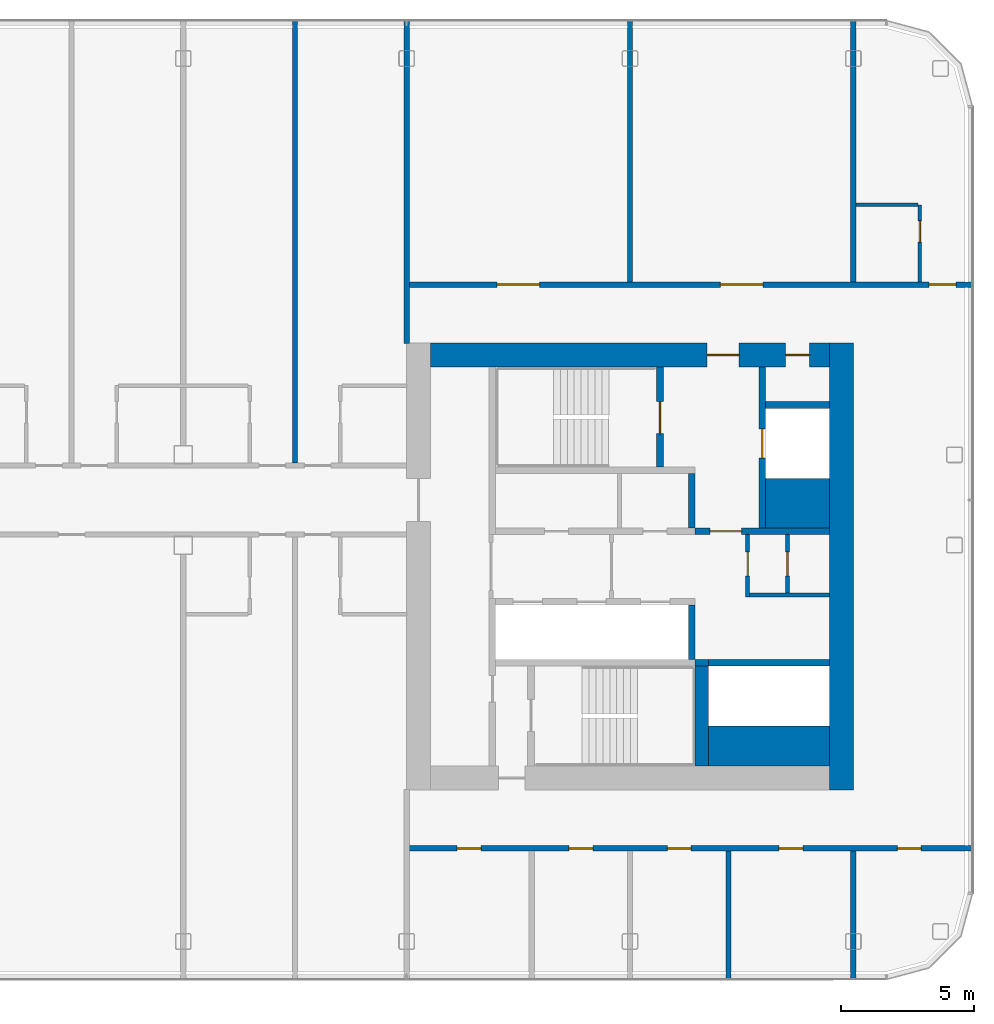
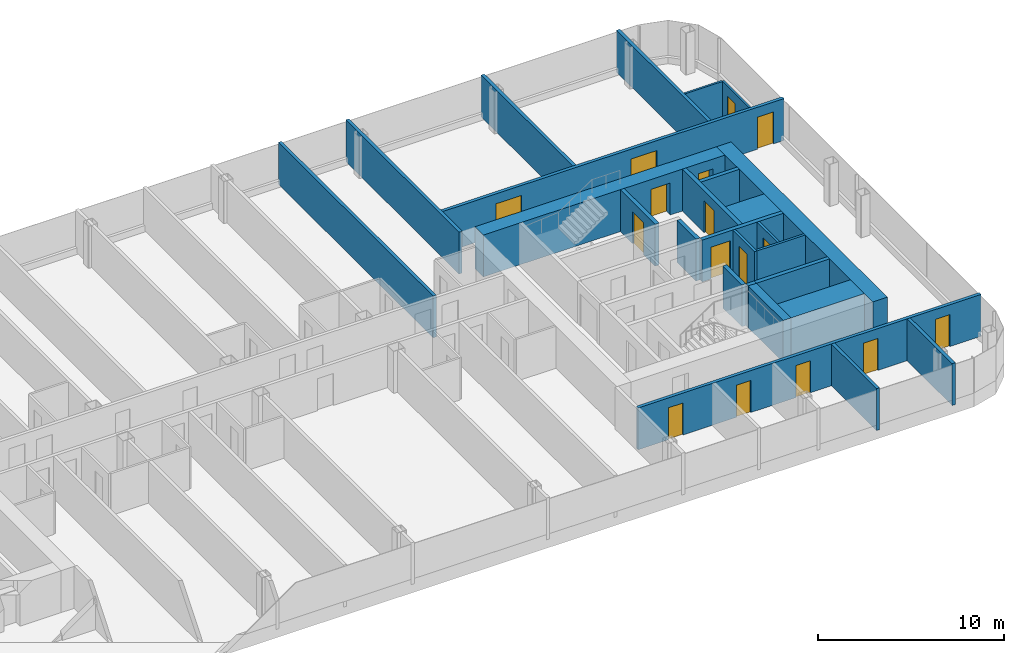
# One storey, part 17 of 26: 26 walls, 16 doors, 16 openings.
"""IFC4 building model written with IfcOpenShell, lengths in metres."""

from ifc_helpers import new_model, si_unit, direction, frame, frame_2d, origin, place, context, subcontext, project, spatial, rectangle, extrude, material, layer, layer_set, type_object, element, fill, save


model = new_model("IFC4")

# Units and contexts
model_context = context("Model", 3, precision=1e-05, world=origin(), true_north=direction((0.0, 1.0)))
body_context = subcontext(model_context, "Body", "Model", "MODEL_VIEW")
ifc_project = project(units=[si_unit("LENGTHUNIT", "METRE"), si_unit("AREAUNIT", "SQUARE_METRE"), si_unit("VOLUMEUNIT", "CUBIC_METRE"), si_unit("PLANEANGLEUNIT", "RADIAN"), si_unit("MASSUNIT", "GRAM", prefix="KILO")], contexts=[model_context])

# Site, building, storey
site_placement = place(None, origin())
site = spatial("IfcSite", under=ifc_project, at=site_placement, CompositionType="ELEMENT")
building_placement = place(site_placement, origin())
building = spatial("IfcBuilding", under=site, at=building_placement, Name="Hakoniwa Tower and Hamabe Station Hall", CompositionType="ELEMENT")
storey_placement = place(building_placement, frame((0.0, 0.0, 221.800048828125)))
storey = spatial("IfcBuildingStorey", under=building, at=storey_placement, Name="L63", CompositionType="ELEMENT", Elevation=221.800048828125)

# Wall
ifc_material_1 = material(Name="Gypsum board partition", Category="gypsum")
ifc_layer_1 = layer(ifc_material_1, 0.125)
ifc_layer_set_1 = layer_set([ifc_layer_1], Name="Bathroom Partition 125")
wall_type_1 = type_object("IfcWallType", Name="Bathroom Partition 125", PredefinedType="PARTITIONING", material=ifc_layer_set_1)
wall_1_placement = place(storey_placement, frame((33.699951171875, 13.60009765625, 0.0), z_axis=(0.0, 0.0, 1.0), x_axis=(1.0, 0.0, 0.0)))
element("IfcWall", 1, at=wall_1_placement, inside=storey, type_object=wall_type_1, Name="GW-L63-020", PredefinedType="PARTITIONING", context=body_context, shape_type="SweptSolid", body=[
    extrude(rectangle(XDim=2.337646484375, YDim=0.125, at=frame_2d((1.1689453125, 0.0))), origin(), (0.0, 0.0, 1.0), 2.75),
])

# Wall, opening, door
wall_2_placement = place(storey_placement, frame((36.10009765625, 10.699951171875, 0.0), z_axis=(0.0, 0.0, 1.0), x_axis=(0.0, 1.0, 0.0)))
wall_2 = element("IfcWall", 2, at=wall_2_placement, inside=storey, type_object=wall_type_1, Name="GW-L63-068", PredefinedType="PARTITIONING", context=body_context, shape_type="SweptSolid", body=[
    extrude(rectangle(XDim=2.900146484375, YDim=0.125, at=frame_2d((1.4501953125, 0.0))), origin(), (0.0, 0.0, 1.0), 2.75),
])
opening_1_placement = place(wall_2_placement, frame((1.5, 0.0, 0.0)))
opening_1 = element("IfcOpeningElement", 3, at=opening_1_placement, cuts=wall_2, Name="Opening GD-G4B2-50", PredefinedType="OPENING", context=body_context, shape_type="SweptSolid", body=[
    extrude(rectangle(XDim=0.800048828125, YDim=2.10009765625, at=frame_2d((0.39990234375, 1.050048828125))), frame((0.0, 0.072509765625, 0.0), z_axis=(0.0, -1.0, 0.0), x_axis=(1.0, 0.0, 0.0)), (0.0, 0.0, 1.0), 0.14501953125),
])
ifc_material_2 = material(Name="Timber door leaf", Category="wood")
door_type_1 = type_object("IfcDoorType", Name="Bathroom Door 800", OperationType="SINGLE_SWING_LEFT", PredefinedType="DOOR", material=ifc_material_2)
door_1_placement = place(opening_1_placement, origin())
door_1 = element("IfcDoor", 4, at=door_1_placement, inside=storey, type_object=door_type_1, Name="Door GD-G4B2-50", OperationType="SINGLE_SWING_LEFT", OverallHeight=2.10009765625, OverallWidth=0.800048828125, PredefinedType="DOOR", context=body_context, shape_type="SweptSolid", body=[
    extrude(rectangle(XDim=0.800048828125, YDim=2.10009765625, at=frame_2d((0.39990234375, 1.050048828125))), frame((0.0, 0.02490234375, 0.0), z_axis=(0.0, -1.0, 0.0), x_axis=(1.0, 0.0, 0.0)), (0.0, 0.0, 1.0), 0.050048828125),
])
fill(opening_1, door_1)

ifc_material_3 = material(Name="Gypsum board partition")
ifc_layer_2 = layer(ifc_material_3, 0.14990234375)
ifc_layer_set_2 = layer_set([ifc_layer_2], Name="CORE PARTITION 150 EI 60")
wall_type_2 = type_object("IfcWallType", Name="CORE PARTITION 150 EI 60", PredefinedType="PARTITIONING", material=ifc_layer_set_2)
wall_3_placement = place(storey_placement, frame((29.625, -1.14990234375, 0.0), z_axis=(0.0, 0.0, 1.0), x_axis=(0.0, 1.0, 0.0)))
wall_3 = element("IfcWall", 5, at=wall_3_placement, inside=storey, type_object=wall_type_2, Name="Core partition PW0 east", PredefinedType="PARTITIONING", context=body_context, shape_type="SweptSolid", body=[
    extrude(rectangle(XDim=2.349853515625, YDim=0.14990234375, at=frame_2d((1.1748046875, 0.0))), origin(), (0.0, 0.0, 1.0), 2.75),
])
opening_2_placement = place(wall_3_placement, frame((0.800048828125, 0.0, 0.0)))
opening_2 = element("IfcOpeningElement", 6, at=opening_2_placement, cuts=wall_3, Name="Opening CD-E-RM1-9", PredefinedType="OPENING", context=body_context, shape_type="SweptSolid", body=[
    extrude(rectangle(XDim=0.89990234375, YDim=2.10009765625, at=frame_2d((0.449951171875, 1.050048828125))), frame((0.0, 0.0849609375, 0.0), z_axis=(0.0, -1.0, 0.0), x_axis=(1.0, 0.0, 0.0)), (0.0, 0.0, 1.0), 0.169921875),
])
ifc_material_4 = material(Name="Steel fire door", Category="steel")
door_type_2 = type_object("IfcDoorType", Name="CORE DOOR 900 FD30", OperationType="NOTDEFINED", PredefinedType="DOOR", material=ifc_material_4)
door_2_placement = place(opening_2_placement, origin())
door_2 = element("IfcDoor", 7, at=door_2_placement, inside=storey, type_object=door_type_2, Name="Store room door", OperationType="SINGLE_SWING_LEFT", OverallHeight=2.10009765625, OverallWidth=0.89990234375, PredefinedType="DOOR", context=body_context, shape_type="SweptSolid", body=[
    extrude(rectangle(XDim=0.89990234375, YDim=2.10009765625, at=frame_2d((0.449951171875, 1.050048828125))), frame((0.0, 0.02490234375, 0.0), z_axis=(0.0, -1.0, 0.0), x_axis=(1.0, 0.0, 0.0)), (0.0, 0.0, 1.0), 0.050048828125),
])
fill(opening_2, door_2)

# Wall
wall_4_placement = place(storey_placement, frame((29.699951171875, -1.074951171875, 0.0), z_axis=(0.0, 0.0, 1.0), x_axis=(1.0, 0.0, 0.0)))
element("IfcWall", 8, at=wall_4_placement, inside=storey, type_object=wall_type_2, Name="Core partition PS east", PredefinedType="PARTITIONING", context=body_context, shape_type="SweptSolid", body=[
    extrude(rectangle(XDim=3.0, YDim=0.14990234375, at=frame_2d((1.5, 0.0))), origin(), (0.0, 0.0, 1.0), 2.75),
])

# Wall, opening, door
wall_5_placement = place(storey_placement, frame((31.125, -1.0, 0.0), z_axis=(0.0, 0.0, 1.0), x_axis=(0.0, 1.0, 0.0)))
wall_5 = element("IfcWall", 9, at=wall_5_placement, inside=storey, type_object=wall_type_2, Name="Core partition PW1 east", PredefinedType="PARTITIONING", context=body_context, shape_type="SweptSolid", body=[
    extrude(rectangle(XDim=2.199951171875, YDim=0.14990234375, at=frame_2d((1.10009765625, 0.0))), origin(), (0.0, 0.0, 1.0), 2.75),
])
opening_3_placement = place(wall_5_placement, frame((0.64990234375, 0.0, 0.0)))
opening_3 = element("IfcOpeningElement", 10, at=opening_3_placement, cuts=wall_5, Name="Opening CD-E-RM2-9", PredefinedType="OPENING", context=body_context, shape_type="SweptSolid", body=[
    extrude(rectangle(XDim=0.89990234375, YDim=2.10009765625, at=frame_2d((0.449951171875, 1.050048828125))), frame((0.0, 0.0849609375, 0.0), z_axis=(0.0, -1.0, 0.0), x_axis=(1.0, 0.0, 0.0)), (0.0, 0.0, 1.0), 0.169921875),
])
door_3_placement = place(opening_3_placement, origin())
door_3 = element("IfcDoor", 11, at=door_3_placement, inside=storey, type_object=door_type_2, Name="Store room door", OperationType="SINGLE_SWING_LEFT", OverallHeight=2.10009765625, OverallWidth=0.89990234375, PredefinedType="DOOR", context=body_context, shape_type="SweptSolid", body=[
    extrude(rectangle(XDim=0.89990234375, YDim=2.10009765625, at=frame_2d((0.449951171875, 1.050048828125))), frame((0.0, 0.02490234375, 0.0), z_axis=(0.0, -1.0, 0.0), x_axis=(1.0, 0.0, 0.0)), (0.0, 0.0, 1.0), 0.050048828125),
])
fill(opening_3, door_3)

# Wall
ifc_material_5 = material(Name="Concrete C60", Category="concrete")
ifc_layer_3 = layer(ifc_material_5, 0.89990234375)
ifc_layer_set_3 = layer_set([ifc_layer_3], Name="CORE WALL 900 C60")
wall_type_3 = type_object("IfcWallType", Name="CORE WALL 900 C60", PredefinedType="SHEAR", material=ifc_layer_set_3)
wall_6_placement = place(storey_placement, frame((33.14990234375, -8.39990234375, 0.0), z_axis=(0.0, 0.0, 1.0), x_axis=(0.0, 1.0, 0.0)))
element("IfcWall", 12, at=wall_6_placement, inside=storey, type_object=wall_type_3, Name="Core wall OUTER east", PredefinedType="SHEAR", context=body_context, shape_type="SweptSolid", body=[
    extrude(rectangle(XDim=16.7998046875, YDim=0.89990234375, at=frame_2d((8.39990234375, 0.0))), origin(), (0.0, 0.0, 1.0), 2.75),
])

# Wall, openings, doors
wall_7_placement = place(storey_placement, frame((17.699951171875, 7.949951171875, 0.0), z_axis=(0.0, 0.0, 1.0), x_axis=(1.0, 0.0, 0.0)))
wall_7 = element("IfcWall", 13, at=wall_7_placement, inside=storey, type_object=wall_type_3, Name="Core wall NORTH east", PredefinedType="SHEAR", context=body_context, shape_type="SweptSolid", body=[
    extrude(rectangle(XDim=15.0, YDim=0.89990234375, at=frame_2d((7.5, 0.0))), origin(), (0.0, 0.0, 1.0), 2.75),
])
opening_4_placement = place(wall_7_placement, frame((10.39990234375, 0.0, 0.0)))
opening_4 = element("IfcOpeningElement", 14, at=opening_4_placement, cuts=wall_7, Name="Opening CD-E-FN1-12", PredefinedType="OPENING", context=body_context, shape_type="SweptSolid", body=[
    extrude(rectangle(XDim=1.199951171875, YDim=2.10009765625, at=frame_2d((0.60009765625, 1.050048828125))), frame((0.0, 0.4599609375, 0.0), z_axis=(0.0, -1.0, 0.0), x_axis=(1.0, 0.0, 0.0)), (0.0, 0.0, 1.0), 0.919921875),
])
opening_5_placement = place(wall_7_placement, frame((13.35009765625, 0.0, 0.0)))
opening_5 = element("IfcOpeningElement", 15, at=opening_5_placement, cuts=wall_7, Name="Opening CD-E-FN2-9", PredefinedType="OPENING", context=body_context, shape_type="SweptSolid", body=[
    extrude(rectangle(XDim=0.89990234375, YDim=2.10009765625, at=frame_2d((0.449951171875, 1.050048828125))), frame((0.0, 0.4599609375, 0.0), z_axis=(0.0, -1.0, 0.0), x_axis=(1.0, 0.0, 0.0)), (0.0, 0.0, 1.0), 0.919921875),
])
ifc_material_6 = material(Name="Steel fire door", Category="steel")
door_type_3 = type_object("IfcDoorType", Name="CORE DOOR 1200 FD60", OperationType="DOUBLE_DOOR_SINGLE_SWING", PredefinedType="DOOR", material=ifc_material_6)
door_4_placement = place(opening_4_placement, origin())
door_4 = element("IfcDoor", 16, at=door_4_placement, inside=storey, type_object=door_type_3, Name="Stair vestibule door to the fire-fighting lobby", OperationType="DOUBLE_DOOR_SINGLE_SWING", OverallHeight=2.10009765625, OverallWidth=1.199951171875, PredefinedType="DOOR", context=body_context, shape_type="SweptSolid", body=[
    extrude(rectangle(XDim=1.199951171875, YDim=2.10009765625, at=frame_2d((0.60009765625, 1.050048828125))), frame((0.0, 0.02490234375, 0.0), z_axis=(0.0, -1.0, 0.0), x_axis=(1.0, 0.0, 0.0)), (0.0, 0.0, 1.0), 0.050048828125),
])
fill(opening_4, door_4)
door_5_placement = place(opening_5_placement, origin())
door_5 = element("IfcDoor", 17, at=door_5_placement, inside=storey, type_object=door_type_2, Name="Riser access door", OperationType="SINGLE_SWING_LEFT", OverallHeight=2.10009765625, OverallWidth=0.89990234375, PredefinedType="DOOR", context=body_context, shape_type="SweptSolid", body=[
    extrude(rectangle(XDim=0.89990234375, YDim=2.10009765625, at=frame_2d((0.449951171875, 1.050048828125))), frame((0.0, 0.02490234375, 0.0), z_axis=(0.0, -1.0, 0.0), x_axis=(1.0, 0.0, 0.0)), (0.0, 0.0, 1.0), 0.050048828125),
])
fill(opening_5, door_5)

# Walls
ifc_material_7 = material(Name="Concrete C60", Category="concrete")
ifc_layer_4 = layer(ifc_material_7, 1.5)
ifc_layer_set_4 = layer_set([ifc_layer_4], Name="CORE WEB WALL 1500 C60")
wall_type_4 = type_object("IfcWallType", Name="CORE WEB WALL 1500 C60", PredefinedType="SHEAR", material=ifc_layer_set_4)
wall_8_placement = place(storey_placement, frame((28.14990234375, -6.75, 0.0), z_axis=(0.0, 0.0, 1.0), x_axis=(1.0, 0.0, 0.0)))
element("IfcWall", 18, at=wall_8_placement, inside=storey, type_object=wall_type_4, Name="Core wall SER east", PredefinedType="SHEAR", context=body_context, shape_type="SweptSolid", body=[
    extrude(rectangle(XDim=4.550048828125, YDim=1.5, at=frame_2d((2.27490234375, 0.0))), origin(), (0.0, 0.0, 1.0), 2.75),
])
ifc_material_8 = material(Name="Concrete C60", Category="concrete")
ifc_layer_5 = layer(ifc_material_8, 1.85009765625)
ifc_layer_set_5 = layer_set([ifc_layer_5], Name="CORE WEB WALL 1850 C60")
wall_type_5 = type_object("IfcWallType", Name="CORE WEB WALL 1850 C60", PredefinedType="SHEAR", material=ifc_layer_set_5)
wall_9_placement = place(storey_placement, frame((30.300048828125, 2.375, 0.0), z_axis=(0.0, 0.0, 1.0), x_axis=(1.0, 0.0, 0.0)))
element("IfcWall", 19, at=wall_9_placement, inside=storey, type_object=wall_type_5, Name="Core wall CA east", PredefinedType="SHEAR", context=body_context, shape_type="SweptSolid", body=[
    extrude(rectangle(XDim=2.39990234375, YDim=1.85009765625, at=frame_2d((1.199951171875, 0.0))), origin(), (0.0, 0.0, 1.0), 2.75),
])
ifc_material_9 = material(Name="Concrete C60", Category="concrete")
ifc_layer_6 = layer(ifc_material_9, 0.25)
ifc_layer_set_6 = layer_set([ifc_layer_6], Name="CORE WEB WALL 250 C60")
wall_type_6 = type_object("IfcWallType", Name="CORE WEB WALL 250 C60", PredefinedType="SHEAR", material=ifc_layer_set_6)
wall_10_placement = place(storey_placement, frame((27.52490234375, 1.449951171875, 0.0), z_axis=(0.0, 0.0, 1.0), x_axis=(0.0, 1.0, 0.0)))
element("IfcWall", 20, at=wall_10_placement, inside=storey, type_object=wall_type_6, Name="Core wall NE east", PredefinedType="SHEAR", context=body_context, shape_type="SweptSolid", body=[
    extrude(rectangle(XDim=2.050048828125, YDim=0.25, at=frame_2d((1.02490234375, 0.0))), origin(), (0.0, 0.0, 1.0), 2.75),
])

# Wall, opening, door
wall_11_placement = place(storey_placement, frame((26.324951171875, 3.75, 0.0), z_axis=(0.0, 0.0, 1.0), x_axis=(0.0, 1.0, 0.0)))
wall_11 = element("IfcWall", 21, at=wall_11_placement, inside=storey, type_object=wall_type_6, Name="Core wall NSE east", PredefinedType="SHEAR", context=body_context, shape_type="SweptSolid", body=[
    extrude(rectangle(XDim=3.75, YDim=0.25, at=frame_2d((1.875, 0.0))), origin(), (0.0, 0.0, 1.0), 2.75),
])
opening_6_placement = place(wall_11_placement, frame((1.25, 0.0, 0.0)))
opening_6 = element("IfcOpeningElement", 22, at=opening_6_placement, cuts=wall_11, Name="Opening CD-E-SN-12", PredefinedType="OPENING", context=body_context, shape_type="SweptSolid", body=[
    extrude(rectangle(XDim=1.199951171875, YDim=2.10009765625, at=frame_2d((0.60009765625, 1.050048828125))), frame((0.0, 0.135009765625, 0.0), z_axis=(0.0, -1.0, 0.0), x_axis=(1.0, 0.0, 0.0)), (0.0, 0.0, 1.0), 0.27001953125),
])
door_6_placement = place(opening_6_placement, origin())
door_6 = element("IfcDoor", 23, at=door_6_placement, inside=storey, type_object=door_type_3, Name="Escape stair door", OperationType="DOUBLE_DOOR_SINGLE_SWING", OverallHeight=2.10009765625, OverallWidth=1.199951171875, PredefinedType="DOOR", context=body_context, shape_type="SweptSolid", body=[
    extrude(rectangle(XDim=1.199951171875, YDim=2.10009765625, at=frame_2d((0.60009765625, 1.050048828125))), frame((0.0, 0.02490234375, 0.0), z_axis=(0.0, -1.0, 0.0), x_axis=(1.0, 0.0, 0.0)), (0.0, 0.0, 1.0), 0.050048828125),
])
fill(opening_6, door_6)

wall_12_placement = place(storey_placement, frame((27.64990234375, 1.324951171875, 0.0), z_axis=(0.0, 0.0, 1.0), x_axis=(1.0, 0.0, 0.0)))
wall_12 = element("IfcWall", 24, at=wall_12_placement, inside=storey, type_object=wall_type_6, Name="Core wall ELN east", PredefinedType="SHEAR", context=body_context, shape_type="SweptSolid", body=[
    extrude(rectangle(XDim=5.050048828125, YDim=0.25, at=frame_2d((2.52490234375, 0.0))), origin(), (0.0, 0.0, 1.0), 2.75),
])
opening_7_placement = place(wall_12_placement, frame((0.550048828125, 0.0, 0.0)))
opening_7 = element("IfcOpeningElement", 25, at=opening_7_placement, cuts=wall_12, Name="Opening CD-E-FL-12", PredefinedType="OPENING", context=body_context, shape_type="SweptSolid", body=[
    extrude(rectangle(XDim=1.199951171875, YDim=2.10009765625, at=frame_2d((0.60009765625, 1.050048828125))), frame((0.0, 0.135009765625, 0.0), z_axis=(0.0, -1.0, 0.0), x_axis=(1.0, 0.0, 0.0)), (0.0, 0.0, 1.0), 0.27001953125),
])
door_7_placement = place(opening_7_placement, origin())
door_7 = element("IfcDoor", 26, at=door_7_placement, inside=storey, type_object=door_type_3, Name="Stair vestibule door to the fire-fighting lobby", OperationType="DOUBLE_DOOR_SINGLE_SWING", OverallHeight=2.10009765625, OverallWidth=1.199951171875, PredefinedType="DOOR", context=body_context, shape_type="SweptSolid", body=[
    extrude(rectangle(XDim=1.199951171875, YDim=2.10009765625, at=frame_2d((0.60009765625, 1.050048828125))), frame((0.0, 0.02490234375, 0.0), z_axis=(0.0, -1.0, 0.0), x_axis=(1.0, 0.0, 0.0)), (0.0, 0.0, 1.0), 0.050048828125),
])
fill(opening_7, door_7)

wall_13_placement = place(storey_placement, frame((30.175048828125, 1.449951171875, 0.0), z_axis=(0.0, 0.0, 1.0), x_axis=(0.0, 1.0, 0.0)))
wall_13 = element("IfcWall", 27, at=wall_13_placement, inside=storey, type_object=wall_type_6, Name="Core wall FFF east", PredefinedType="SHEAR", context=body_context, shape_type="SweptSolid", body=[
    extrude(rectangle(XDim=6.050048828125, YDim=0.25, at=frame_2d((3.02490234375, 0.0))), origin(), (0.0, 0.0, 1.0), 2.75),
])
opening_8_placement = place(wall_13_placement, frame((2.625, 0.0, 0.0)))
opening_8 = element("IfcOpeningElement", 28, at=opening_8_placement, cuts=wall_13, Name="Opening LD-FF2", PredefinedType="OPENING", context=body_context, shape_type="SweptSolid", body=[
    extrude(rectangle(XDim=1.10009765625, YDim=2.10009765625, at=frame_2d((0.550048828125, 1.050048828125))), frame((0.0, 0.135009765625, 0.0), z_axis=(0.0, -1.0, 0.0), x_axis=(1.0, 0.0, 0.0)), (0.0, 0.0, 1.0), 0.27001953125),
])
ifc_material_10 = material(Name="Stainless steel SUS304", Category="steel")
door_type_4 = type_object("IfcDoorType", Name="LIFT LANDING DOOR 1100 FD60", OperationType="DOUBLE_DOOR_SLIDING", PredefinedType="DOOR", material=ifc_material_10)
door_8_placement = place(opening_8_placement, origin())
door_8 = element("IfcDoor", 29, at=door_8_placement, inside=storey, type_object=door_type_4, Name="Lift landing door FF2 L63", OperationType="DOUBLE_DOOR_SLIDING", OverallHeight=2.10009765625, OverallWidth=1.10009765625, PredefinedType="DOOR", context=body_context, shape_type="SweptSolid", body=[
    extrude(rectangle(XDim=1.10009765625, YDim=2.10009765625, at=frame_2d((0.550048828125, 1.050048828125))), frame((0.0, 0.02490234375, 0.0), z_axis=(0.0, -1.0, 0.0), x_axis=(1.0, 0.0, 0.0)), (0.0, 0.0, 1.0), 0.050048828125),
])
fill(opening_8, door_8)

# Walls
wall_14_placement = place(storey_placement, frame((30.300048828125, 6.074951171875, 0.0), z_axis=(0.0, 0.0, 1.0), x_axis=(1.0, 0.0, 0.0)))
element("IfcWall", 30, at=wall_14_placement, inside=storey, type_object=wall_type_6, Name="Core wall C2 east", PredefinedType="SHEAR", context=body_context, shape_type="SweptSolid", body=[
    extrude(rectangle(XDim=2.39990234375, YDim=0.25, at=frame_2d((1.199951171875, 0.0))), origin(), (0.0, 0.0, 1.0), 2.75),
])
wall_15_placement = place(storey_placement, frame((27.52490234375, -3.5, 0.0), z_axis=(0.0, 0.0, 1.0), x_axis=(0.0, 1.0, 0.0)))
element("IfcWall", 31, at=wall_15_placement, inside=storey, type_object=wall_type_6, Name="Core wall SE east", PredefinedType="SHEAR", context=body_context, shape_type="SweptSolid", body=[
    extrude(rectangle(XDim=2.050048828125, YDim=0.25, at=frame_2d((1.02490234375, 0.0))), origin(), (0.0, 0.0, 1.0), 2.75),
])
wall_16_placement = place(storey_placement, frame((28.14990234375, -3.625, 0.0), z_axis=(0.0, 0.0, 1.0), x_axis=(1.0, 0.0, 0.0)))
element("IfcWall", 32, at=wall_16_placement, inside=storey, type_object=wall_type_6, Name="Core wall SEF east", PredefinedType="SHEAR", context=body_context, shape_type="SweptSolid", body=[
    extrude(rectangle(XDim=4.550048828125, YDim=0.25, at=frame_2d((2.27490234375, 0.0))), origin(), (0.0, 0.0, 1.0), 2.75),
])
wall_17_placement = place(storey_placement, frame((27.64990234375, -3.625, 0.0), z_axis=(0.0, 0.0, 1.0), x_axis=(1.0, 0.0, 0.0)))
element("IfcWall", 33, at=wall_17_placement, inside=storey, type_object=wall_type_6, Name="Core wall SRK east", PredefinedType="SHEAR", context=body_context, shape_type="SweptSolid", body=[
    extrude(rectangle(XDim=0.5, YDim=0.25, at=frame_2d((0.25, 0.0))), origin(), (0.0, 0.0, 1.0), 2.75),
])
ifc_material_11 = material(Name="Concrete C60", Category="concrete")
ifc_layer_7 = layer(ifc_material_11, 0.5)
ifc_layer_set_7 = layer_set([ifc_layer_7], Name="CORE WEB WALL 500 C60")
wall_type_7 = type_object("IfcWallType", Name="CORE WEB WALL 500 C60", PredefinedType="SHEAR", material=ifc_layer_set_7)
wall_18_placement = place(storey_placement, frame((27.89990234375, -7.5, 0.0), z_axis=(0.0, 0.0, 1.0), x_axis=(0.0, 1.0, 0.0)))
element("IfcWall", 34, at=wall_18_placement, inside=storey, type_object=wall_type_7, Name="Core wall SSE east", PredefinedType="SHEAR", context=body_context, shape_type="SweptSolid", body=[
    extrude(rectangle(XDim=3.75, YDim=0.5, at=frame_2d((1.875, 0.0))), origin(), (0.0, 0.0, 1.0), 2.75),
])

# Wall, openings, doors
ifc_material_12 = material(Name="Fire-rated gypsum board partition", Category="gypsum")
ifc_layer_8 = layer(ifc_material_12, 0.199951171875)
ifc_layer_set_8 = layer_set([ifc_layer_8], Name="Corridor Wall 200")
wall_type_8 = type_object("IfcWallType", Name="Corridor Wall 200", PredefinedType="PARTITIONING", material=ifc_layer_set_8)
wall_19_placement = place(storey_placement, frame((16.800048828125, -10.60009765625, 0.0), z_axis=(0.0, 0.0, 1.0), x_axis=(1.0, 0.0, 0.0)))
wall_19 = element("IfcWall", 35, at=wall_19_placement, inside=storey, type_object=wall_type_8, Name="GW-L63-002", PredefinedType="PARTITIONING", context=body_context, shape_type="SweptSolid", body=[
    extrude(rectangle(XDim=21.300048828125, YDim=0.199951171875, at=frame_2d((10.64990234375, 0.0))), origin(), (0.0, 0.0, 1.0), 2.75),
])
opening_9_placement = place(wall_19_placement, frame((1.89990234375, 0.0, 0.0)))
opening_9 = element("IfcOpeningElement", 36, at=opening_9_placement, cuts=wall_19, Name="Opening GD-G4B2-06", PredefinedType="OPENING", context=body_context, shape_type="SweptSolid", body=[
    extrude(rectangle(XDim=0.89990234375, YDim=2.10009765625, at=frame_2d((0.449951171875, 1.050048828125))), frame((0.0, 0.10986328125, 0.0), z_axis=(0.0, -1.0, 0.0), x_axis=(1.0, 0.0, 0.0)), (0.0, 0.0, 1.0), 0.219970703125),
])
opening_10_placement = place(wall_19_placement, frame((6.10009765625, 0.0, 0.0)))
opening_10 = element("IfcOpeningElement", 37, at=opening_10_placement, cuts=wall_19, Name="Opening GD-G4B2-07", PredefinedType="OPENING", context=body_context, shape_type="SweptSolid", body=[
    extrude(rectangle(XDim=0.89990234375, YDim=2.10009765625, at=frame_2d((0.449951171875, 1.050048828125))), frame((0.0, 0.10986328125, 0.0), z_axis=(0.0, -1.0, 0.0), x_axis=(1.0, 0.0, 0.0)), (0.0, 0.0, 1.0), 0.219970703125),
])
opening_11_placement = place(wall_19_placement, frame((9.800048828125, 0.0, 0.0)))
opening_11 = element("IfcOpeningElement", 38, at=opening_11_placement, cuts=wall_19, Name="Opening GD-G4B2-08", PredefinedType="OPENING", context=body_context, shape_type="SweptSolid", body=[
    extrude(rectangle(XDim=0.89990234375, YDim=2.10009765625, at=frame_2d((0.449951171875, 1.050048828125))), frame((0.0, 0.10986328125, 0.0), z_axis=(0.0, -1.0, 0.0), x_axis=(1.0, 0.0, 0.0)), (0.0, 0.0, 1.0), 0.219970703125),
])
opening_12_placement = place(wall_19_placement, frame((14.0, 0.0, 0.0)))
opening_12 = element("IfcOpeningElement", 39, at=opening_12_placement, cuts=wall_19, Name="Opening GD-G4B2-09", PredefinedType="OPENING", context=body_context, shape_type="SweptSolid", body=[
    extrude(rectangle(XDim=0.89990234375, YDim=2.10009765625, at=frame_2d((0.449951171875, 1.050048828125))), frame((0.0, 0.10986328125, 0.0), z_axis=(0.0, -1.0, 0.0), x_axis=(1.0, 0.0, 0.0)), (0.0, 0.0, 1.0), 0.219970703125),
])
opening_13_placement = place(wall_19_placement, frame((18.449951171875, 0.0, 0.0)))
opening_13 = element("IfcOpeningElement", 40, at=opening_13_placement, cuts=wall_19, Name="Opening GD-G4B2-10", PredefinedType="OPENING", context=body_context, shape_type="SweptSolid", body=[
    extrude(rectangle(XDim=0.89990234375, YDim=2.10009765625, at=frame_2d((0.449951171875, 1.050048828125))), frame((0.0, 0.10986328125, 0.0), z_axis=(0.0, -1.0, 0.0), x_axis=(1.0, 0.0, 0.0)), (0.0, 0.0, 1.0), 0.219970703125),
])
ifc_material_13 = material(Name="Timber door leaf", Category="wood")
door_type_5 = type_object("IfcDoorType", Name="Service Door 900", OperationType="SINGLE_SWING_LEFT", PredefinedType="DOOR", material=ifc_material_13)
door_9_placement = place(opening_9_placement, origin())
door_9 = element("IfcDoor", 41, at=door_9_placement, inside=storey, type_object=door_type_5, Name="Door GD-G4B2-06", OperationType="SINGLE_SWING_LEFT", OverallHeight=2.10009765625, OverallWidth=0.89990234375, PredefinedType="DOOR", context=body_context, shape_type="SweptSolid", body=[
    extrude(rectangle(XDim=0.89990234375, YDim=2.10009765625, at=frame_2d((0.449951171875, 1.050048828125))), frame((0.0, 0.02490234375, 0.0), z_axis=(0.0, -1.0, 0.0), x_axis=(1.0, 0.0, 0.0)), (0.0, 0.0, 1.0), 0.050048828125),
])
fill(opening_9, door_9)
door_10_placement = place(opening_10_placement, origin())
door_10 = element("IfcDoor", 42, at=door_10_placement, inside=storey, type_object=door_type_5, Name="Door GD-G4B2-07", OperationType="SINGLE_SWING_RIGHT", OverallHeight=2.10009765625, OverallWidth=0.89990234375, PredefinedType="DOOR", context=body_context, shape_type="SweptSolid", body=[
    extrude(rectangle(XDim=0.89990234375, YDim=2.10009765625, at=frame_2d((0.449951171875, 1.050048828125))), frame((0.0, 0.02490234375, 0.0), z_axis=(0.0, -1.0, 0.0), x_axis=(1.0, 0.0, 0.0)), (0.0, 0.0, 1.0), 0.050048828125),
])
fill(opening_10, door_10)
door_11_placement = place(opening_11_placement, origin())
door_11 = element("IfcDoor", 43, at=door_11_placement, inside=storey, type_object=door_type_5, Name="Door GD-G4B2-08", OperationType="SINGLE_SWING_LEFT", OverallHeight=2.10009765625, OverallWidth=0.89990234375, PredefinedType="DOOR", context=body_context, shape_type="SweptSolid", body=[
    extrude(rectangle(XDim=0.89990234375, YDim=2.10009765625, at=frame_2d((0.449951171875, 1.050048828125))), frame((0.0, 0.02490234375, 0.0), z_axis=(0.0, -1.0, 0.0), x_axis=(1.0, 0.0, 0.0)), (0.0, 0.0, 1.0), 0.050048828125),
])
fill(opening_11, door_11)
door_12_placement = place(opening_12_placement, origin())
door_12 = element("IfcDoor", 44, at=door_12_placement, inside=storey, type_object=door_type_5, Name="Door GD-G4B2-09", OperationType="SINGLE_SWING_RIGHT", OverallHeight=2.10009765625, OverallWidth=0.89990234375, PredefinedType="DOOR", context=body_context, shape_type="SweptSolid", body=[
    extrude(rectangle(XDim=0.89990234375, YDim=2.10009765625, at=frame_2d((0.449951171875, 1.050048828125))), frame((0.0, 0.02490234375, 0.0), z_axis=(0.0, -1.0, 0.0), x_axis=(1.0, 0.0, 0.0)), (0.0, 0.0, 1.0), 0.050048828125),
])
fill(opening_12, door_12)
door_13_placement = place(opening_13_placement, origin())
door_13 = element("IfcDoor", 45, at=door_13_placement, inside=storey, type_object=door_type_5, Name="Door GD-G4B2-10", OperationType="SINGLE_SWING_LEFT", OverallHeight=2.10009765625, OverallWidth=0.89990234375, PredefinedType="DOOR", context=body_context, shape_type="SweptSolid", body=[
    extrude(rectangle(XDim=0.89990234375, YDim=2.10009765625, at=frame_2d((0.449951171875, 1.050048828125))), frame((0.0, 0.02490234375, 0.0), z_axis=(0.0, -1.0, 0.0), x_axis=(1.0, 0.0, 0.0)), (0.0, 0.0, 1.0), 0.050048828125),
])
fill(opening_13, door_13)

wall_20_placement = place(storey_placement, frame((16.800048828125, 10.60009765625, 0.0), z_axis=(0.0, 0.0, 1.0), x_axis=(1.0, 0.0, 0.0)))
wall_20 = element("IfcWall", 46, at=wall_20_placement, inside=storey, type_object=wall_type_8, Name="GW-L63-016", PredefinedType="PARTITIONING", context=body_context, shape_type="SweptSolid", body=[
    extrude(rectangle(XDim=21.300048828125, YDim=0.199951171875, at=frame_2d((10.64990234375, 0.0))), origin(), (0.0, 0.0, 1.0), 2.75),
])
opening_14_placement = place(wall_20_placement, frame((3.39990234375, 0.0, 0.0)))
opening_14 = element("IfcOpeningElement", 47, at=opening_14_placement, cuts=wall_20, Name="Opening GD-G4B2-31", PredefinedType="OPENING", context=body_context, shape_type="SweptSolid", body=[
    extrude(rectangle(XDim=1.60009765625, YDim=2.10009765625, at=frame_2d((0.800048828125, 1.050048828125))), frame((0.0, 0.10986328125, 0.0), z_axis=(0.0, -1.0, 0.0), x_axis=(1.0, 0.0, 0.0)), (0.0, 0.0, 1.0), 0.219970703125),
])
opening_15_placement = place(wall_20_placement, frame((11.800048828125, 0.0, 0.0)))
opening_15 = element("IfcOpeningElement", 48, at=opening_15_placement, cuts=wall_20, Name="Opening GD-G4B2-32", PredefinedType="OPENING", context=body_context, shape_type="SweptSolid", body=[
    extrude(rectangle(XDim=1.60009765625, YDim=2.10009765625, at=frame_2d((0.800048828125, 1.050048828125))), frame((0.0, 0.10986328125, 0.0), z_axis=(0.0, -1.0, 0.0), x_axis=(1.0, 0.0, 0.0)), (0.0, 0.0, 1.0), 0.219970703125),
])
opening_16_placement = place(wall_20_placement, frame((19.64990234375, 0.0, 0.0)))
opening_16 = element("IfcOpeningElement", 49, at=opening_16_placement, cuts=wall_20, Name="Opening GD-G4B2-33", PredefinedType="OPENING", context=body_context, shape_type="SweptSolid", body=[
    extrude(rectangle(XDim=1.0, YDim=2.10009765625, at=frame_2d((0.5, 1.050048828125))), frame((0.0, 0.10986328125, 0.0), z_axis=(0.0, -1.0, 0.0), x_axis=(1.0, 0.0, 0.0)), (0.0, 0.0, 1.0), 0.219970703125),
])
ifc_material_14 = material(Name="Timber door leaf", Category="wood")
door_type_6 = type_object("IfcDoorType", Name="Double Door 1600", OperationType="DOUBLE_DOOR_SINGLE_SWING", PredefinedType="DOOR", material=ifc_material_14)
door_14_placement = place(opening_14_placement, origin())
door_14 = element("IfcDoor", 50, at=door_14_placement, inside=storey, type_object=door_type_6, Name="Door GD-G4B2-31", OperationType="DOUBLE_DOOR_SINGLE_SWING", OverallHeight=2.10009765625, OverallWidth=1.60009765625, PredefinedType="DOOR", context=body_context, shape_type="SweptSolid", body=[
    extrude(rectangle(XDim=1.60009765625, YDim=2.10009765625, at=frame_2d((0.800048828125, 1.050048828125))), frame((0.0, 0.02490234375, 0.0), z_axis=(0.0, -1.0, 0.0), x_axis=(1.0, 0.0, 0.0)), (0.0, 0.0, 1.0), 0.050048828125),
])
fill(opening_14, door_14)
door_15_placement = place(opening_15_placement, origin())
door_15 = element("IfcDoor", 51, at=door_15_placement, inside=storey, type_object=door_type_6, Name="Door GD-G4B2-32", OperationType="DOUBLE_DOOR_SINGLE_SWING", OverallHeight=2.10009765625, OverallWidth=1.60009765625, PredefinedType="DOOR", context=body_context, shape_type="SweptSolid", body=[
    extrude(rectangle(XDim=1.60009765625, YDim=2.10009765625, at=frame_2d((0.800048828125, 1.050048828125))), frame((0.0, 0.02490234375, 0.0), z_axis=(0.0, -1.0, 0.0), x_axis=(1.0, 0.0, 0.0)), (0.0, 0.0, 1.0), 0.050048828125),
])
fill(opening_15, door_15)
ifc_material_15 = material(Name="Timber door leaf", Category="wood")
door_type_7 = type_object("IfcDoorType", Name="Guest Entrance Door 1000", OperationType="SINGLE_SWING_LEFT", PredefinedType="DOOR", material=ifc_material_15)
door_16_placement = place(opening_16_placement, origin())
door_16 = element("IfcDoor", 52, at=door_16_placement, inside=storey, type_object=door_type_7, Name="Door GD-G4B2-33", OperationType="SINGLE_SWING_RIGHT", OverallHeight=2.10009765625, OverallWidth=1.0, PredefinedType="DOOR", context=body_context, shape_type="SweptSolid", body=[
    extrude(rectangle(XDim=1.0, YDim=2.10009765625, at=frame_2d((0.5, 1.050048828125))), frame((0.0, 0.02490234375, 0.0), z_axis=(0.0, -1.0, 0.0), x_axis=(1.0, 0.0, 0.0)), (0.0, 0.0, 1.0), 0.050048828125),
])
fill(opening_16, door_16)

# Walls
ifc_material_16 = material(Name="Fire-rated gypsum board partition", Category="gypsum")
ifc_layer_9 = layer(ifc_material_16, 0.199951171875)
ifc_layer_set_9 = layer_set([ifc_layer_9], Name="Party Wall 200")
wall_type_9 = type_object("IfcWallType", Name="Party Wall 200", PredefinedType="PARTITIONING", material=ifc_layer_set_9)
wall_21_placement = place(storey_placement, frame((12.60009765625, 3.89990234375, 0.0), z_axis=(0.0, 0.0, 1.0), x_axis=(0.0, 1.0, 0.0)))
element("IfcWall", 53, at=wall_21_placement, inside=storey, type_object=wall_type_9, Name="GW-L63-057", PredefinedType="PARTITIONING", context=body_context, shape_type="SweptSolid", body=[
    extrude(rectangle(XDim=16.650146484375, YDim=0.199951171875, at=frame_2d((8.3251953125, 0.0))), origin(), (0.0, 0.0, 1.0), 2.75),
])
wall_22_placement = place(storey_placement, frame((16.800048828125, 8.389892578125, 0.0), z_axis=(0.0, 0.0, 1.0), x_axis=(0.0, 1.0, 0.0)))
element("IfcWall", 54, at=wall_22_placement, inside=storey, type_object=wall_type_9, Name="GW-L63-061", PredefinedType="PARTITIONING", context=body_context, shape_type="SweptSolid", body=[
    extrude(rectangle(XDim=12.16015625, YDim=0.199951171875, at=frame_2d((6.080078125, 0.0))), origin(), (0.0, 0.0, 1.0), 2.75),
])
wall_23_placement = place(storey_placement, frame((25.199951171875, 10.699951171875, 0.0), z_axis=(0.0, 0.0, 1.0), x_axis=(0.0, 1.0, 0.0)))
element("IfcWall", 55, at=wall_23_placement, inside=storey, type_object=wall_type_9, Name="GW-L63-064", PredefinedType="PARTITIONING", context=body_context, shape_type="SweptSolid", body=[
    extrude(rectangle(XDim=9.85009765625, YDim=0.199951171875, at=frame_2d((4.925048828125, 0.0))), origin(), (0.0, 0.0, 1.0), 2.75),
])
for number, where, z_axis, x_axis, name in (
    (56, (28.89990234375, -15.550048828125, 0.0), (0.0, 0.0, 1.0), (0.0, 1.0, 0.0), "GW-L63-065"),
    (57, (33.60009765625, -15.550048828125, 0.0), (0.0, 0.0, 1.0), (0.0, 1.0, 0.0), "GW-L63-066"),
):
    element("IfcWall", number, at=place(storey_placement, frame(where, z_axis=z_axis, x_axis=x_axis)), inside=storey, type_object=wall_type_9, Name=name, PredefinedType="PARTITIONING", context=body_context, shape_type="SweptSolid", body=[
        extrude(rectangle(XDim=4.85009765625, YDim=0.199951171875, at=frame_2d((2.425048828125, 0.0))), origin(), (0.0, 0.0, 1.0), 2.75),
    ])
wall_24_placement = place(storey_placement, frame((33.60009765625, 10.699951171875, 0.0), z_axis=(0.0, 0.0, 1.0), x_axis=(0.0, 1.0, 0.0)))
element("IfcWall", 58, at=wall_24_placement, inside=storey, type_object=wall_type_9, Name="GW-L63-067", PredefinedType="PARTITIONING", context=body_context, shape_type="SweptSolid", body=[
    extrude(rectangle(XDim=9.85009765625, YDim=0.199951171875, at=frame_2d((4.925048828125, 0.0))), origin(), (0.0, 0.0, 1.0), 2.75),
])

save(model, "model.ifc")
